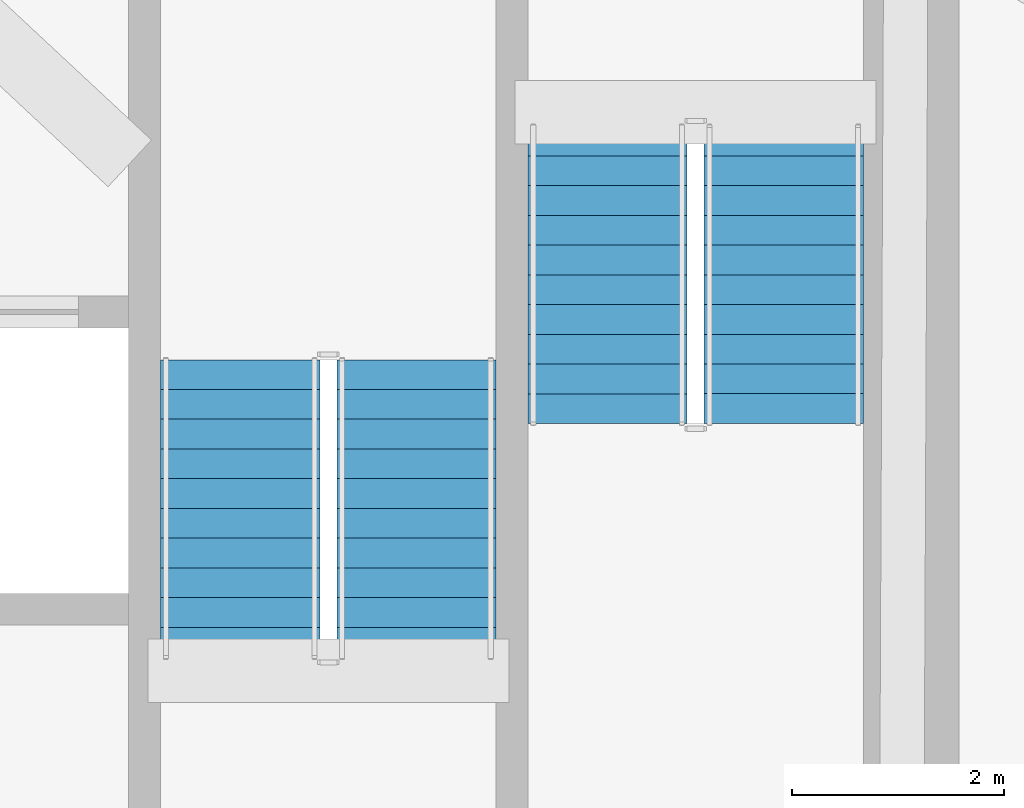
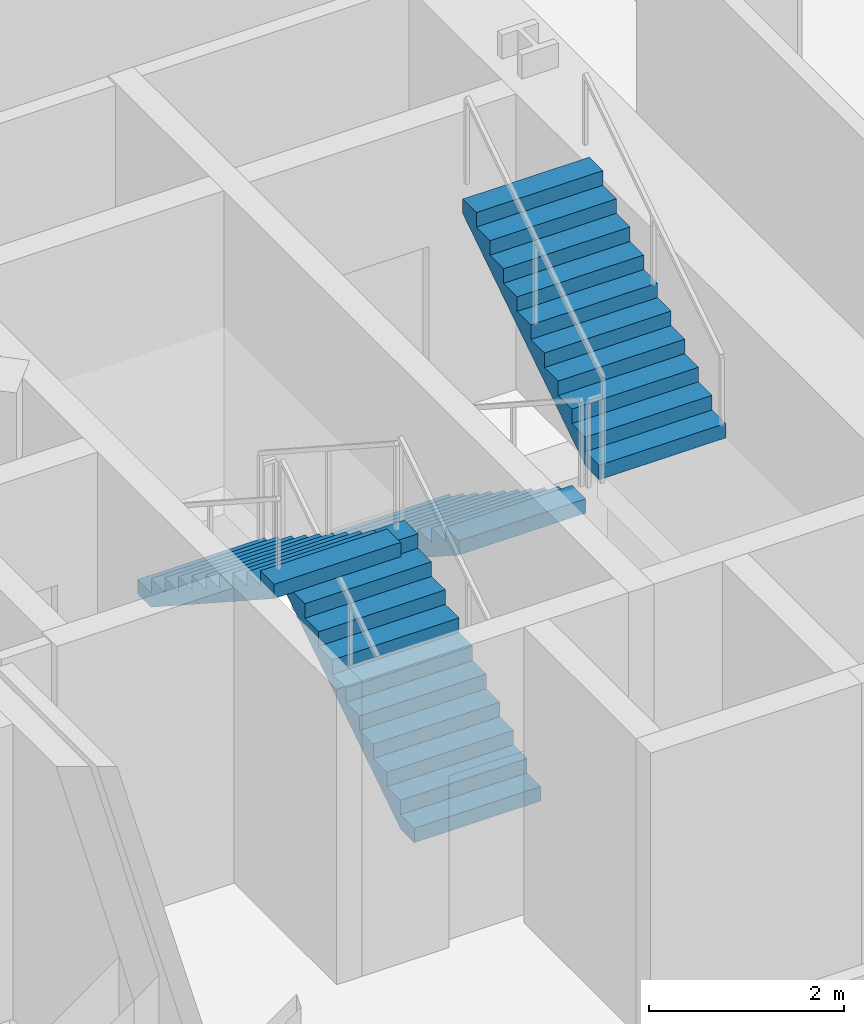
# One storey, part 16 of 18: 4 stair flights, 2 elements without a shape of their own.
"""IFC4 building model written with IfcOpenShell, lengths in metres."""

from ifc_helpers import new_model, si_unit, direction, frame, origin, place, context, subcontext, project, spatial, polyline, outline, extrude, material, type_object, element, aggregate, save


model = new_model("IFC4")

# Units and contexts
model_context = context("Model", 3, precision=1e-05, world=origin(), true_north=direction((0.0, 1.0)))
body_context = subcontext(model_context, "Body", "Model", "MODEL_VIEW")
ifc_project = project(units=[si_unit("LENGTHUNIT", "METRE"), si_unit("AREAUNIT", "SQUARE_METRE"), si_unit("VOLUMEUNIT", "CUBIC_METRE"), si_unit("PLANEANGLEUNIT", "RADIAN"), si_unit("MASSUNIT", "GRAM", prefix="KILO"), si_unit("THERMODYNAMICTEMPERATUREUNIT", "KELVIN"), si_unit("POWERUNIT", "WATT")], contexts=[model_context])

# Site, building, storey
site_placement = place(None, origin())
site = spatial("IfcSite", under=ifc_project, at=site_placement, CompositionType="ELEMENT")
building_placement = place(site_placement, origin())
building = spatial("IfcBuilding", under=site, at=building_placement, Name="Cundina Bronze Exchange", CompositionType="ELEMENT")
storey_placement = place(building_placement, frame((0.0, 0.0, 20.0)))
storey = spatial("IfcBuildingStorey", under=building, at=storey_placement, Name="L04", CompositionType="ELEMENT", Elevation=20.0)

# Stair, stair flights
ifc_material = material(Name="Concrete C40/50", Category="concrete")
stair_type = type_object("IfcStairType", Name="STR-POD-400", PredefinedType="HALF_TURN_STAIR", material=ifc_material)
stair_1_placement = place(storey_placement, origin())
stair_1 = element("IfcStair", 1, at=stair_1_placement, inside=storey, type_object=stair_type, Name="L04 Smokeproof Exit Stair E1", PredefinedType="HALF_TURN_STAIR")
stair_flight_type = type_object("IfcStairFlightType", Name="FLG-POD-200", PredefinedType="STRAIGHT", material=ifc_material)
stair_flight_1_placement = place(storey_placement, frame((28.489990234375, -5.85009765625, 0.0), z_axis=(0.0, 0.0, 1.0), x_axis=(0.0, -1.0, 0.0)))
stair_flight_1 = element("IfcStairFlight", 2, at=stair_flight_1_placement, type_object=stair_flight_type, Name="ST-E1 flight 1", NumberOfRisers=11, NumberOfTreads=10, PredefinedType="STRAIGHT", RiserHeight=0.181818182, TreadLength=0.28, context=body_context, shape_type="SweptSolid", body=[
    extrude(outline(polyline([(0.0, 0.0), (0.0, 0.181884765625), (0.280029296875, 0.181884765625), (0.280029296875, 0.363525390625), (0.56005859375, 0.363525390625), (0.56005859375, 0.54541015625), (0.840087890625, 0.54541015625), (0.840087890625, 0.727294921875), (1.1201171875, 0.727294921875), (1.1201171875, 0.9091796875), (1.39990234375, 0.9091796875), (1.39990234375, 1.0908203125), (1.679931640625, 1.0908203125), (1.679931640625, 1.272705078125), (1.9599609375, 1.272705078125), (1.9599609375, 1.45458984375), (2.239990234375, 1.45458984375), (2.239990234375, 1.636474609375), (2.52001953125, 1.636474609375), (2.52001953125, 1.818115234375), (2.800048828125, 1.818115234375), (2.800048828125, 2.0), (2.800048828125, 1.639404296875), (0.275146484375, 0.0), (0.0, 0.0)])), frame((0.0, 0.75, 0.0), z_axis=(0.0, -1.0, 0.0), x_axis=(1.0, 0.0, 0.0)), (0.0, 0.0, 1.0), 1.5),
])
stair_flight_2_placement = place(storey_placement, frame((30.14990234375, -8.64990234375, 2.0), z_axis=(0.0, 0.0, 1.0), x_axis=(0.0, 1.0, 0.0)))
stair_flight_2 = element("IfcStairFlight", 3, at=stair_flight_2_placement, type_object=stair_flight_type, Name="ST-E1 flight 2", NumberOfRisers=11, NumberOfTreads=10, PredefinedType="STRAIGHT", RiserHeight=0.181818182, TreadLength=0.28, context=body_context, shape_type="SweptSolid", body=[
    extrude(outline(polyline([(0.0, 0.0), (0.0, 0.181884765625), (0.280029296875, 0.181884765625), (0.280029296875, 0.363525390625), (0.56005859375, 0.363525390625), (0.56005859375, 0.54541015625), (0.840087890625, 0.54541015625), (0.840087890625, 0.727294921875), (1.1201171875, 0.727294921875), (1.1201171875, 0.9091796875), (1.39990234375, 0.9091796875), (1.39990234375, 1.0908203125), (1.679931640625, 1.0908203125), (1.679931640625, 1.272705078125), (1.9599609375, 1.272705078125), (1.9599609375, 1.45458984375), (2.239990234375, 1.45458984375), (2.239990234375, 1.636474609375), (2.52001953125, 1.636474609375), (2.52001953125, 1.818115234375), (2.800048828125, 1.818115234375), (2.800048828125, 2.0), (2.800048828125, 1.639404296875), (0.275146484375, 0.0), (0.0, 0.0)])), frame((0.0, 0.75, 0.0), z_axis=(0.0, -1.0, 0.0), x_axis=(1.0, 0.0, 0.0)), (0.0, 0.0, 1.0), 1.5),
])
aggregate(stair_1, [stair_flight_1, stair_flight_2])

stair_2_placement = place(storey_placement, origin())
stair_2 = element("IfcStair", 4, at=stair_2_placement, inside=storey, type_object=stair_type, Name="L04 Smokeproof Exit Stair E2", PredefinedType="HALF_TURN_STAIR")
stair_flight_3_placement = place(storey_placement, frame((26.68994140625, -10.85009765625, 0.0), z_axis=(0.0, 0.0, 1.0), x_axis=(0.0, 1.0, 0.0)))
stair_flight_3 = element("IfcStairFlight", 5, at=stair_flight_3_placement, type_object=stair_flight_type, Name="ST-E2 flight 1", NumberOfRisers=11, NumberOfTreads=10, PredefinedType="STRAIGHT", RiserHeight=0.181818182, TreadLength=0.28, context=body_context, shape_type="SweptSolid", body=[
    extrude(outline(polyline([(0.0, 0.0), (0.0, 0.181884765625), (0.280029296875, 0.181884765625), (0.280029296875, 0.363525390625), (0.56005859375, 0.363525390625), (0.56005859375, 0.54541015625), (0.840087890625, 0.54541015625), (0.840087890625, 0.727294921875), (1.1201171875, 0.727294921875), (1.1201171875, 0.9091796875), (1.39990234375, 0.9091796875), (1.39990234375, 1.0908203125), (1.679931640625, 1.0908203125), (1.679931640625, 1.272705078125), (1.9599609375, 1.272705078125), (1.9599609375, 1.45458984375), (2.239990234375, 1.45458984375), (2.239990234375, 1.636474609375), (2.52001953125, 1.636474609375), (2.52001953125, 1.818115234375), (2.800048828125, 1.818115234375), (2.800048828125, 2.0), (2.800048828125, 1.639404296875), (0.275146484375, 0.0), (0.0, 0.0)])), frame((0.0, 0.75, 0.0), z_axis=(0.0, -1.0, 0.0), x_axis=(1.0, 0.0, 0.0)), (0.0, 0.0, 1.0), 1.5),
])
stair_flight_4_placement = place(storey_placement, frame((25.030029296875, -8.050048828125, 2.0), z_axis=(0.0, 0.0, 1.0), x_axis=(0.0, -1.0, 0.0)))
stair_flight_4 = element("IfcStairFlight", 6, at=stair_flight_4_placement, type_object=stair_flight_type, Name="ST-E2 flight 2", NumberOfRisers=11, NumberOfTreads=10, PredefinedType="STRAIGHT", RiserHeight=0.181818182, TreadLength=0.28, context=body_context, shape_type="SweptSolid", body=[
    extrude(outline(polyline([(0.0, 0.0), (0.0, 0.181884765625), (0.280029296875, 0.181884765625), (0.280029296875, 0.363525390625), (0.56005859375, 0.363525390625), (0.56005859375, 0.54541015625), (0.840087890625, 0.54541015625), (0.840087890625, 0.727294921875), (1.1201171875, 0.727294921875), (1.1201171875, 0.9091796875), (1.39990234375, 0.9091796875), (1.39990234375, 1.0908203125), (1.679931640625, 1.0908203125), (1.679931640625, 1.272705078125), (1.9599609375, 1.272705078125), (1.9599609375, 1.45458984375), (2.239990234375, 1.45458984375), (2.239990234375, 1.636474609375), (2.52001953125, 1.636474609375), (2.52001953125, 1.818115234375), (2.800048828125, 1.818115234375), (2.800048828125, 2.0), (2.800048828125, 1.639404296875), (0.275146484375, 0.0), (0.0, 0.0)])), frame((0.0, 0.75, 0.0), z_axis=(0.0, -1.0, 0.0), x_axis=(1.0, 0.0, 0.0)), (0.0, 0.0, 1.0), 1.5),
])
aggregate(stair_2, [stair_flight_3, stair_flight_4])

save(model, "model.ifc")
